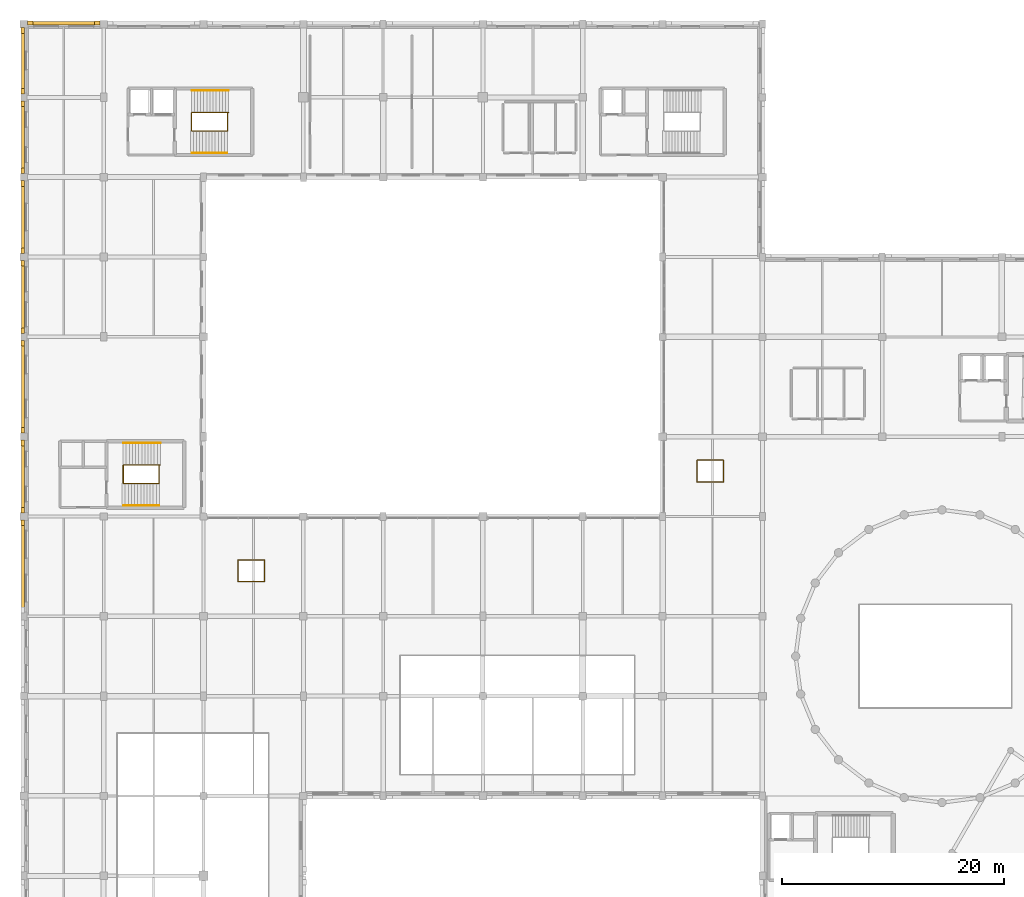
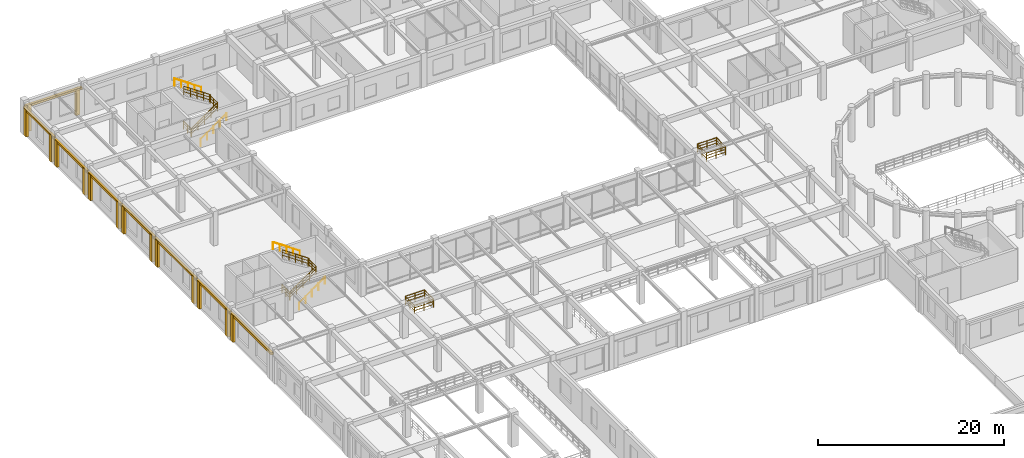
# One storey, part 56 of 62: 23 coverings, 20 railings.
"""IFC4 building model written with IfcOpenShell, lengths in metres."""

from ifc_helpers import new_model, si_unit, direction, frame, frame_2d, origin, origin_2d, place, context, subcontext, project, spatial, rectangle, circle, extrude, material, layer, layer_set, type_object, element, save


model = new_model("IFC4")

# Units and contexts
model_context = context("Model", 3, precision=1e-05, world=origin(), true_north=direction((0.0, 1.0)))
body_context = subcontext(model_context, "Body", "Model", "MODEL_VIEW")
ifc_project = project(units=[si_unit("LENGTHUNIT", "METRE"), si_unit("AREAUNIT", "SQUARE_METRE"), si_unit("VOLUMEUNIT", "CUBIC_METRE"), si_unit("PLANEANGLEUNIT", "RADIAN"), si_unit("MASSUNIT", "GRAM", prefix="KILO")], contexts=[model_context])

# Site, building, storey
site_placement = place(None, origin())
site = spatial("IfcSite", under=ifc_project, at=site_placement, CompositionType="ELEMENT")
building_placement = place(site_placement, origin())
building = spatial("IfcBuilding", under=site, at=building_placement, Name="Clarverna Civic Hall", CompositionType="ELEMENT")
storey_placement = place(building_placement, frame((0.0, 0.0, 5.10009765625)))
storey = spatial("IfcBuildingStorey", under=building, at=storey_placement, Name="L01", CompositionType="ELEMENT", Elevation=5.10009765625)

# Coverings
ifc_material_1 = material(Name="Montjuic Buff Limestone Ashlar Cladding", Category="masonry")
ifc_layer = layer(ifc_material_1, 0.070068359375)
ifc_layer_set = layer_set([ifc_layer], Name="Montjuic Buff Limestone Ashlar Cladding")
covering_type = type_object("IfcCoveringType", Name="CV-CL2", PredefinedType="CLADDING", material=ifc_layer_set)
covering_1_placement = place(storey_placement, frame((-0.080078125, 62.659912109375, 3.260009765625), z_axis=(0.0, 0.0, 1.0), x_axis=(0.0, 1.0, 0.0)))
element("IfcCovering", 1, at=covering_1_placement, inside=storey, type_object=covering_type, Name="CV-CL2-180", PredefinedType="CLADDING", context=body_context, shape_type="SweptSolid", body=[
    extrude(rectangle(XDim=8.880126953125, YDim=0.280029296875, at=frame_2d((4.43994140625, 0.0))), origin(), (0.0, 0.0, 1.0), 0.2998046875),
])
covering_2_placement = place(storey_placement, frame((-0.110107421875, 70.780029296875, 0.0), z_axis=(0.0, 0.0, 1.0), x_axis=(0.0, 1.0, 0.0)))
element("IfcCovering", 2, at=covering_2_placement, inside=storey, type_object=covering_type, Name="CV-CL2-182", PredefinedType="CLADDING", context=body_context, shape_type="SweptSolid", body=[
    extrude(rectangle(XDim=0.5, YDim=0.340087890625, at=frame_2d((0.25, 0.0))), origin(), (0.0, 0.0, 1.0), 3.539794921875),
])
covering_3_placement = place(storey_placement, frame((-0.080078125, 71.659912109375, 3.219970703125), z_axis=(0.0, 0.0, 1.0), x_axis=(0.0, 1.0, 0.0)))
element("IfcCovering", 3, at=covering_3_placement, inside=storey, type_object=covering_type, Name="CV-CL2-183", PredefinedType="CLADDING", context=body_context, shape_type="SweptSolid", body=[
    extrude(rectangle(XDim=7.080078125, YDim=0.280029296875, at=frame_2d((3.5400390625, 0.0))), origin(), (0.0, 0.0, 1.0), 0.300048828125),
])
for number, where, z_axis, x_axis, name in (
    (4, (-0.110107421875, 71.919921875, 0.0), (0.0, 0.0, 1.0), (0.0, 1.0, 0.0), "CV-CL2-184"),
    (5, (-0.110107421875, 77.97998046875, 0.0), (0.0, 0.0, 1.0), (0.0, 1.0, 0.0), "CV-CL2-185"),
):
    element("IfcCovering", number, at=place(storey_placement, frame(where, z_axis=z_axis, x_axis=x_axis)), inside=storey, type_object=covering_type, Name=name, PredefinedType="CLADDING", context=body_context, shape_type="SweptSolid", body=[
        extrude(rectangle(XDim=0.5, YDim=0.340087890625, at=frame_2d((0.25, 0.0))), origin(), (0.0, 0.0, 1.0), 3.5),
    ])
covering_4_placement = place(storey_placement, frame((-0.080078125, 78.860107421875, 3.219970703125), z_axis=(0.0, 0.0, 1.0), x_axis=(0.0, 1.0, 0.0)))
element("IfcCovering", 6, at=covering_4_placement, inside=storey, type_object=covering_type, Name="CV-CL2-186", PredefinedType="CLADDING", context=body_context, shape_type="SweptSolid", body=[
    extrude(rectangle(XDim=8.8798828125, YDim=0.280029296875, at=frame_2d((4.43994140625, 0.0))), origin(), (0.0, 0.0, 1.0), 0.300048828125),
])
for number, where, z_axis, x_axis, name in (
    (7, (-0.110107421875, 79.1201171875, 0.0), (0.0, 0.0, 1.0), (0.0, 1.0, 0.0), "CV-CL2-187"),
    (8, (-0.110107421875, 86.97998046875, 0.0), (0.0, 0.0, 1.0), (0.0, 1.0, 0.0), "CV-CL2-188"),
):
    element("IfcCovering", number, at=place(storey_placement, frame(where, z_axis=z_axis, x_axis=x_axis)), inside=storey, type_object=covering_type, Name=name, PredefinedType="CLADDING", context=body_context, shape_type="SweptSolid", body=[
        extrude(rectangle(XDim=0.5, YDim=0.340087890625, at=frame_2d((0.25, 0.0))), origin(), (0.0, 0.0, 1.0), 3.5),
    ])
covering_5_placement = place(storey_placement, frame((-0.080078125, 87.860107421875, 3.219970703125), z_axis=(0.0, 0.0, 1.0), x_axis=(0.0, 1.0, 0.0)))
element("IfcCovering", 9, at=covering_5_placement, inside=storey, type_object=covering_type, Name="CV-CL2-189", PredefinedType="CLADDING", context=body_context, shape_type="SweptSolid", body=[
    extrude(rectangle(XDim=7.079833984375, YDim=0.280029296875, at=frame_2d((3.5400390625, 0.0))), origin(), (0.0, 0.0, 1.0), 0.300048828125),
])
for number, where, z_axis, x_axis, name in (
    (10, (-0.110107421875, 88.1201171875, 0.0), (0.0, 0.0, 1.0), (0.0, 1.0, 0.0), "CV-CL2-190"),
    (11, (-0.110107421875, 94.179931640625, 0.0), (0.0, 0.0, 1.0), (0.0, 1.0, 0.0), "CV-CL2-191"),
):
    element("IfcCovering", number, at=place(storey_placement, frame(where, z_axis=z_axis, x_axis=x_axis)), inside=storey, type_object=covering_type, Name=name, PredefinedType="CLADDING", context=body_context, shape_type="SweptSolid", body=[
        extrude(rectangle(XDim=0.5, YDim=0.340087890625, at=frame_2d((0.25, 0.0))), origin(), (0.0, 0.0, 1.0), 3.5),
    ])
covering_6_placement = place(storey_placement, frame((-0.080078125, 95.06005859375, 3.139892578125), z_axis=(0.0, 0.0, 1.0), x_axis=(0.0, 1.0, 0.0)))
element("IfcCovering", 12, at=covering_6_placement, inside=storey, type_object=covering_type, Name="CV-CL2-192", PredefinedType="CLADDING", context=body_context, shape_type="SweptSolid", body=[
    extrude(rectangle(XDim=7.079833984375, YDim=0.280029296875, at=frame_2d((3.5400390625, 0.0))), origin(), (0.0, 0.0, 1.0), 0.300048828125),
])
for number, where, z_axis, x_axis, name in (
    (13, (-0.110107421875, 95.320068359375, 0.0), (0.0, 0.0, 1.0), (0.0, 1.0, 0.0), "CV-CL2-193"),
    (14, (-0.110107421875, 101.3798828125, 0.0), (0.0, 0.0, 1.0), (0.0, 1.0, 0.0), "CV-CL2-194"),
):
    element("IfcCovering", number, at=place(storey_placement, frame(where, z_axis=z_axis, x_axis=x_axis)), inside=storey, type_object=covering_type, Name=name, PredefinedType="CLADDING", context=body_context, shape_type="SweptSolid", body=[
        extrude(rectangle(XDim=0.5, YDim=0.340087890625, at=frame_2d((0.25, 0.0))), origin(), (0.0, 0.0, 1.0), 3.419921875),
    ])
covering_7_placement = place(storey_placement, frame((-0.080078125, 102.260009765625, 3.139892578125), z_axis=(0.0, 0.0, 1.0), x_axis=(0.0, 1.0, 0.0)))
element("IfcCovering", 15, at=covering_7_placement, inside=storey, type_object=covering_type, Name="CV-CL2-195", PredefinedType="CLADDING", context=body_context, shape_type="SweptSolid", body=[
    extrude(rectangle(XDim=7.080078125, YDim=0.280029296875, at=frame_2d((3.5400390625, 0.0))), origin(), (0.0, 0.0, 1.0), 0.300048828125),
])
for number, where, z_axis, x_axis, name in (
    (16, (-0.110107421875, 102.52001953125, 0.0), (0.0, 0.0, 1.0), (0.0, 1.0, 0.0), "CV-CL2-196"),
    (17, (-0.110107421875, 108.580078125, 0.0), (0.0, 0.0, 1.0), (0.0, 1.0, 0.0), "CV-CL2-197"),
):
    element("IfcCovering", number, at=place(storey_placement, frame(where, z_axis=z_axis, x_axis=x_axis)), inside=storey, type_object=covering_type, Name=name, PredefinedType="CLADDING", context=body_context, shape_type="SweptSolid", body=[
        extrude(rectangle(XDim=0.5, YDim=0.340087890625, at=frame_2d((0.25, 0.0))), origin(), (0.0, 0.0, 1.0), 3.419921875),
    ])
covering_8_placement = place(storey_placement, frame((-0.080078125, 109.4599609375, 3.219970703125), z_axis=(0.0, 0.0, 1.0), x_axis=(0.0, 1.0, 0.0)))
element("IfcCovering", 18, at=covering_8_placement, inside=storey, type_object=covering_type, Name="CV-CL2-198", PredefinedType="CLADDING", context=body_context, shape_type="SweptSolid", body=[
    extrude(rectangle(XDim=6.47998046875, YDim=0.280029296875, at=frame_2d((3.239990234375, 0.0))), origin(), (0.0, 0.0, 1.0), 0.300048828125),
])
for number, where, z_axis, x_axis, name in (
    (19, (-0.110107421875, 109.719970703125, 0.0), (0.0, 0.0, 1.0), (0.0, 1.0, 0.0), "CV-CL2-199"),
    (20, (-0.110107421875, 115.179931640625, 0.0), (0.0, 0.0, 1.0), (0.0, 1.0, 0.0), "CV-CL2-200"),
):
    element("IfcCovering", number, at=place(storey_placement, frame(where, z_axis=z_axis, x_axis=x_axis)), inside=storey, type_object=covering_type, Name=name, PredefinedType="CLADDING", context=body_context, shape_type="SweptSolid", body=[
        extrude(rectangle(XDim=0.5, YDim=0.340087890625, at=frame_2d((0.25, 0.0))), origin(), (0.0, 0.0, 1.0), 3.5),
    ])
covering_9_placement = place(storey_placement, frame((0.06005859375, 116.080078125, 3.219970703125), z_axis=(0.0, 0.0, 1.0), x_axis=(1.0, 0.0, 0.0)))
element("IfcCovering", 21, at=covering_9_placement, inside=storey, type_object=covering_type, Name="CV-CL2-201", PredefinedType="CLADDING", context=body_context, shape_type="SweptSolid", body=[
    extrude(rectangle(XDim=7.079833984375, YDim=0.280029296875, at=frame_2d((3.5400390625, 0.0))), origin(), (0.0, 0.0, 1.0), 0.300048828125),
])
for number, where, z_axis, x_axis, name in (
    (22, (0.320068359375, 116.110107421875, 0.0), (0.0, 0.0, 1.0), (1.0, 0.0, 0.0), "CV-CL2-202"),
    (23, (6.3798828125, 116.110107421875, 0.0), (0.0, 0.0, 1.0), (1.0, 0.0, 0.0), "CV-CL2-203"),
):
    element("IfcCovering", number, at=place(storey_placement, frame(where, z_axis=z_axis, x_axis=x_axis)), inside=storey, type_object=covering_type, Name=name, PredefinedType="CLADDING", context=body_context, shape_type="SweptSolid", body=[
        extrude(rectangle(XDim=0.5, YDim=0.340087890625, at=frame_2d((0.25, 0.0))), origin(), (0.0, 0.0, 1.0), 3.5),
    ])

# Railings
ifc_material_2 = material(Name="Anodised Bronze Architectural Balustrade")
railing_type_1 = type_object("IfcRailingType", Name="GR-02", PredefinedType="BALUSTRADE", material=ifc_material_2)
railing_1_placement = place(storey_placement, frame((15.14990234375, 106.360107421875, 0.0)))
element("IfcRailing", 24, at=railing_1_placement, inside=storey, type_object=railing_type_1, Name="GR-02-107", PredefinedType="BALUSTRADE", context=body_context, shape_type="SweptSolid", body=[
    extrude(circle(Radius=0.02392578125, at=origin_2d()), frame((0.0, 0.0, 1.09619140625), z_axis=(0.818457937252, 0.0, 0.574566449551), x_axis=(0.0, 1.0, 0.0)), (0.0, 0.0, 1.0), 3.916015625),
    extrude(circle(Radius=0.011962890625, at=origin_2d()), frame((0.0, 0.0, 0.39208984375), z_axis=(0.818457937252, 0.0, 0.574566449551), x_axis=(0.0, 1.0, 0.0)), (0.0, 0.0, 1.0), 3.916015625),
    extrude(circle(Radius=0.011962890625, at=origin_2d()), frame((0.0, 0.0, 0.76171875), z_axis=(0.818457937252, 0.0, 0.574566449551), x_axis=(0.0, 1.0, 0.0)), (0.0, 0.0, 1.0), 3.916015625),
    extrude(circle(Radius=0.02099609375, at=origin_2d()), origin(), (0.0, 0.0, 1.0), 1.072021484375),
    extrude(circle(Radius=0.02099609375, at=origin_2d()), frame((0.80126953125, 0.0, 0.5625)), (0.0, 0.0, 1.0), 1.072021484375),
    extrude(circle(Radius=0.02099609375, at=origin_2d()), frame((1.6025390625, 0.0, 1.125)), (0.0, 0.0, 1.0), 1.072021484375),
    extrude(circle(Radius=0.02099609375, at=origin_2d()), frame((2.40380859375, 0.0, 1.6875)), (0.0, 0.0, 1.0), 1.072021484375),
    extrude(circle(Radius=0.02099609375, at=origin_2d()), frame((3.205078125, 0.0, 2.25)), (0.0, 0.0, 1.0), 1.072021484375),
])
railing_2_placement = place(storey_placement, frame((18.35498046875, 106.360107421875, 2.25)))
element("IfcRailing", 25, at=railing_2_placement, inside=storey, type_object=railing_type_1, Name="GR-02-108", PredefinedType="BALUSTRADE", context=body_context, shape_type="SweptSolid", body=[
    extrude(circle(Radius=0.02392578125, at=origin_2d()), frame((0.0, 0.0, 1.09619140625), z_axis=(0.0, 1.0, 0.0), x_axis=(-1.0, 0.0, 0.0)), (0.0, 0.0, 1.0), 1.679931640625),
    extrude(circle(Radius=0.011962890625, at=origin_2d()), frame((0.0, 0.0, 0.39208984375), z_axis=(0.0, 1.0, 0.0), x_axis=(-1.0, 0.0, 0.0)), (0.0, 0.0, 1.0), 1.679931640625),
    extrude(circle(Radius=0.011962890625, at=origin_2d()), frame((0.0, 0.0, 0.76171875), z_axis=(0.0, 1.0, 0.0), x_axis=(-1.0, 0.0, 0.0)), (0.0, 0.0, 1.0), 1.679931640625),
    extrude(circle(Radius=0.02099609375, at=origin_2d()), origin(), (0.0, 0.0, 1.0), 1.072021484375),
    extrude(circle(Radius=0.02099609375, at=origin_2d()), frame((0.0, 0.83984375, 0.0)), (0.0, 0.0, 1.0), 1.072021484375),
    extrude(circle(Radius=0.02099609375, at=origin_2d()), frame((0.0, 1.679931640625, 0.0)), (0.0, 0.0, 1.0), 1.072021484375),
])
railing_3_placement = place(storey_placement, frame((18.445068359375, 108.0400390625, 2.25)))
element("IfcRailing", 26, at=railing_3_placement, inside=storey, type_object=railing_type_1, Name="GR-02-109", PredefinedType="BALUSTRADE", context=body_context, shape_type="SweptSolid", body=[
    extrude(circle(Radius=0.02392578125, at=origin_2d()), frame((0.0, 0.0, 1.09619140625), z_axis=(-0.825842681189, 0.0, 0.563900581598), x_axis=(0.0, -1.0, 0.0)), (0.0, 0.0, 1.0), 3.989990234375),
    extrude(circle(Radius=0.011962890625, at=origin_2d()), frame((0.0, 0.0, 0.39208984375), z_axis=(-0.825842681189, 0.0, 0.563900581598), x_axis=(0.0, -1.0, 0.0)), (0.0, 0.0, 1.0), 3.989990234375),
    extrude(circle(Radius=0.011962890625, at=origin_2d()), frame((0.0, 0.0, 0.76171875), z_axis=(-0.825842681189, 0.0, 0.563900581598), x_axis=(0.0, -1.0, 0.0)), (0.0, 0.0, 1.0), 3.989990234375),
    extrude(circle(Radius=0.02099609375, at=origin_2d()), origin(), (0.0, 0.0, 1.0), 1.072021484375),
    extrude(circle(Radius=0.02099609375, at=origin_2d()), frame((-0.82373046875, 0.0, 0.5625)), (0.0, 0.0, 1.0), 1.072021484375),
    extrude(circle(Radius=0.02099609375, at=origin_2d()), frame((-1.6474609375, 0.0, 1.125)), (0.0, 0.0, 1.0), 1.072021484375),
    extrude(circle(Radius=0.02099609375, at=origin_2d()), frame((-2.471435546875, 0.0, 1.6875)), (0.0, 0.0, 1.0), 1.072021484375),
    extrude(circle(Radius=0.02099609375, at=origin_2d()), frame((-3.295166015625, 0.0, 2.25)), (0.0, 0.0, 1.0), 1.072021484375),
])
railing_4_placement = place(storey_placement, frame((15.110107421875, 106.39990234375, 0.0)))
element("IfcRailing", 27, at=railing_4_placement, inside=storey, type_object=railing_type_1, Name="GR-02-110", PredefinedType="BALUSTRADE", context=body_context, shape_type="SweptSolid", body=[
    extrude(circle(Radius=0.02392578125, at=origin_2d()), frame((0.0, 0.0, 1.09619140625), z_axis=(0.0, 1.0, 0.0), x_axis=(-1.0, 0.0, 0.0)), (0.0, 0.0, 1.0), 1.60009765625),
    extrude(circle(Radius=0.011962890625, at=origin_2d()), frame((0.0, 0.0, 0.39208984375), z_axis=(0.0, 1.0, 0.0), x_axis=(-1.0, 0.0, 0.0)), (0.0, 0.0, 1.0), 1.60009765625),
    extrude(circle(Radius=0.011962890625, at=origin_2d()), frame((0.0, 0.0, 0.76171875), z_axis=(0.0, 1.0, 0.0), x_axis=(-1.0, 0.0, 0.0)), (0.0, 0.0, 1.0), 1.60009765625),
    extrude(circle(Radius=0.02099609375, at=origin_2d()), origin(), (0.0, 0.0, 1.0), 1.072021484375),
    extrude(circle(Radius=0.02099609375, at=origin_2d()), frame((0.0, 0.800048828125, 0.0)), (0.0, 0.0, 1.0), 1.072021484375),
    extrude(circle(Radius=0.02099609375, at=origin_2d()), frame((0.0, 1.60009765625, 0.0)), (0.0, 0.0, 1.0), 1.072021484375),
])
railing_5_placement = place(storey_placement, frame((9.0, 74.56005859375, 0.0)))
element("IfcRailing", 28, at=railing_5_placement, inside=storey, type_object=railing_type_1, Name="GR-02-203", PredefinedType="BALUSTRADE", context=body_context, shape_type="SweptSolid", body=[
    extrude(circle(Radius=0.02392578125, at=origin_2d()), frame((0.0, 0.0, 1.09619140625), z_axis=(0.818457937252, 0.0, 0.574566449551), x_axis=(0.0, 1.0, 0.0)), (0.0, 0.0, 1.0), 3.916015625),
    extrude(circle(Radius=0.011962890625, at=origin_2d()), frame((0.0, 0.0, 0.39208984375), z_axis=(0.818457937252, 0.0, 0.574566449551), x_axis=(0.0, 1.0, 0.0)), (0.0, 0.0, 1.0), 3.916015625),
    extrude(circle(Radius=0.011962890625, at=origin_2d()), frame((0.0, 0.0, 0.76171875), z_axis=(0.818457937252, 0.0, 0.574566449551), x_axis=(0.0, 1.0, 0.0)), (0.0, 0.0, 1.0), 3.916015625),
    extrude(circle(Radius=0.02099609375, at=origin_2d()), origin(), (0.0, 0.0, 1.0), 1.072021484375),
    extrude(circle(Radius=0.02099609375, at=origin_2d()), frame((0.80126953125, 0.0, 0.5625)), (0.0, 0.0, 1.0), 1.072021484375),
    extrude(circle(Radius=0.02099609375, at=origin_2d()), frame((1.6025390625, 0.0, 1.125)), (0.0, 0.0, 1.0), 1.072021484375),
    extrude(circle(Radius=0.02099609375, at=origin_2d()), frame((2.40380859375, 0.0, 1.6875)), (0.0, 0.0, 1.0), 1.072021484375),
    extrude(circle(Radius=0.02099609375, at=origin_2d()), frame((3.205078125, 0.0, 2.25)), (0.0, 0.0, 1.0), 1.072021484375),
])
railing_6_placement = place(storey_placement, frame((12.205078125, 74.56005859375, 2.25)))
element("IfcRailing", 29, at=railing_6_placement, inside=storey, type_object=railing_type_1, Name="GR-02-204", PredefinedType="BALUSTRADE", context=body_context, shape_type="SweptSolid", body=[
    extrude(circle(Radius=0.02392578125, at=origin_2d()), frame((0.0, 0.0, 1.09619140625), z_axis=(0.0, 1.0, 0.0), x_axis=(-1.0, 0.0, 0.0)), (0.0, 0.0, 1.0), 1.679931640625),
    extrude(circle(Radius=0.011962890625, at=origin_2d()), frame((0.0, 0.0, 0.39208984375), z_axis=(0.0, 1.0, 0.0), x_axis=(-1.0, 0.0, 0.0)), (0.0, 0.0, 1.0), 1.679931640625),
    extrude(circle(Radius=0.011962890625, at=origin_2d()), frame((0.0, 0.0, 0.76171875), z_axis=(0.0, 1.0, 0.0), x_axis=(-1.0, 0.0, 0.0)), (0.0, 0.0, 1.0), 1.679931640625),
    extrude(circle(Radius=0.02099609375, at=origin_2d()), origin(), (0.0, 0.0, 1.0), 1.072021484375),
    extrude(circle(Radius=0.02099609375, at=origin_2d()), frame((0.0, 0.83984375, 0.0)), (0.0, 0.0, 1.0), 1.072021484375),
    extrude(circle(Radius=0.02099609375, at=origin_2d()), frame((0.0, 1.679931640625, 0.0)), (0.0, 0.0, 1.0), 1.072021484375),
])
railing_7_placement = place(storey_placement, frame((12.294921875, 76.239990234375, 2.25)))
element("IfcRailing", 30, at=railing_7_placement, inside=storey, type_object=railing_type_1, Name="GR-02-205", PredefinedType="BALUSTRADE", context=body_context, shape_type="SweptSolid", body=[
    extrude(circle(Radius=0.02392578125, at=origin_2d()), frame((0.0, 0.0, 1.09619140625), z_axis=(-0.825823223194, 0.0, 0.563929077131), x_axis=(0.0, -1.0, 0.0)), (0.0, 0.0, 1.0), 3.98974609375),
    extrude(circle(Radius=0.011962890625, at=origin_2d()), frame((0.0, 0.0, 0.39208984375), z_axis=(-0.825823223194, 0.0, 0.563929077131), x_axis=(0.0, -1.0, 0.0)), (0.0, 0.0, 1.0), 3.98974609375),
    extrude(circle(Radius=0.011962890625, at=origin_2d()), frame((0.0, 0.0, 0.76171875), z_axis=(-0.825823223194, 0.0, 0.563929077131), x_axis=(0.0, -1.0, 0.0)), (0.0, 0.0, 1.0), 3.98974609375),
    extrude(circle(Radius=0.02099609375, at=origin_2d()), origin(), (0.0, 0.0, 1.0), 1.072021484375),
    extrude(circle(Radius=0.02099609375, at=origin_2d()), frame((-0.82373046875, 0.0, 0.5625)), (0.0, 0.0, 1.0), 1.072021484375),
    extrude(circle(Radius=0.02099609375, at=origin_2d()), frame((-1.6474609375, 0.0, 1.125)), (0.0, 0.0, 1.0), 1.072021484375),
    extrude(circle(Radius=0.02099609375, at=origin_2d()), frame((-2.47119140625, 0.0, 1.6875)), (0.0, 0.0, 1.0), 1.072021484375),
    extrude(circle(Radius=0.02099609375, at=origin_2d()), frame((-3.294921875, 0.0, 2.25)), (0.0, 0.0, 1.0), 1.072021484375),
])
railing_8_placement = place(storey_placement, frame((8.9599609375, 74.60009765625, 0.0)))
element("IfcRailing", 31, at=railing_8_placement, inside=storey, type_object=railing_type_1, Name="GR-02-206", PredefinedType="BALUSTRADE", context=body_context, shape_type="SweptSolid", body=[
    extrude(circle(Radius=0.02392578125, at=origin_2d()), frame((0.0, 0.0, 1.09619140625), z_axis=(0.0, 1.0, 0.0), x_axis=(-1.0, 0.0, 0.0)), (0.0, 0.0, 1.0), 1.599853515625),
    extrude(circle(Radius=0.011962890625, at=origin_2d()), frame((0.0, 0.0, 0.39208984375), z_axis=(0.0, 1.0, 0.0), x_axis=(-1.0, 0.0, 0.0)), (0.0, 0.0, 1.0), 1.599853515625),
    extrude(circle(Radius=0.011962890625, at=origin_2d()), frame((0.0, 0.0, 0.76171875), z_axis=(0.0, 1.0, 0.0), x_axis=(-1.0, 0.0, 0.0)), (0.0, 0.0, 1.0), 1.599853515625),
    extrude(circle(Radius=0.02099609375, at=origin_2d()), origin(), (0.0, 0.0, 1.0), 1.072021484375),
    extrude(circle(Radius=0.02099609375, at=origin_2d()), frame((0.0, 0.7998046875, 0.0)), (0.0, 0.0, 1.0), 1.072021484375),
    extrude(circle(Radius=0.02099609375, at=origin_2d()), frame((0.0, 1.599853515625, 0.0)), (0.0, 0.0, 1.0), 1.072021484375),
])
railing_9_placement = place(storey_placement, frame((19.320068359375, 65.719970703125, 0.0)))
element("IfcRailing", 32, at=railing_9_placement, inside=storey, type_object=railing_type_1, Name="GR-02-216", PredefinedType="BALUSTRADE", context=body_context, shape_type="SweptSolid", body=[
    extrude(circle(Radius=0.02392578125, at=origin_2d()), frame((0.0, 0.0, 1.09619140625), z_axis=(0.0, 1.0, 0.0), x_axis=(-1.0, 0.0, 0.0)), (0.0, 0.0, 1.0), 1.9599609375),
    extrude(circle(Radius=0.011962890625, at=origin_2d()), frame((0.0, 0.0, 0.39208984375), z_axis=(0.0, 1.0, 0.0), x_axis=(-1.0, 0.0, 0.0)), (0.0, 0.0, 1.0), 1.9599609375),
    extrude(circle(Radius=0.011962890625, at=origin_2d()), frame((0.0, 0.0, 0.76171875), z_axis=(0.0, 1.0, 0.0), x_axis=(-1.0, 0.0, 0.0)), (0.0, 0.0, 1.0), 1.9599609375),
    extrude(circle(Radius=0.02099609375, at=origin_2d()), origin(), (0.0, 0.0, 1.0), 1.072021484375),
    extrude(circle(Radius=0.02099609375, at=origin_2d()), frame((0.0, 0.97998046875, 0.0)), (0.0, 0.0, 1.0), 1.072021484375),
    extrude(circle(Radius=0.02099609375, at=origin_2d()), frame((0.0, 1.9599609375, 0.0)), (0.0, 0.0, 1.0), 1.072021484375),
])
railing_10_placement = place(storey_placement, frame((19.320068359375, 67.679931640625, 0.0)))
element("IfcRailing", 33, at=railing_10_placement, inside=storey, type_object=railing_type_1, Name="GR-02-217", PredefinedType="BALUSTRADE", context=body_context, shape_type="SweptSolid", body=[
    extrude(circle(Radius=0.02392578125, at=origin_2d()), frame((0.0, 0.0, 1.09619140625), z_axis=(1.0, 0.0, 0.0), x_axis=(0.0, 1.0, 0.0)), (0.0, 0.0, 1.0), 2.35986328125),
    extrude(circle(Radius=0.011962890625, at=origin_2d()), frame((0.0, 0.0, 0.39208984375), z_axis=(1.0, 0.0, 0.0), x_axis=(0.0, 1.0, 0.0)), (0.0, 0.0, 1.0), 2.35986328125),
    extrude(circle(Radius=0.011962890625, at=origin_2d()), frame((0.0, 0.0, 0.76171875), z_axis=(1.0, 0.0, 0.0), x_axis=(0.0, 1.0, 0.0)), (0.0, 0.0, 1.0), 2.35986328125),
    extrude(circle(Radius=0.02099609375, at=origin_2d()), origin(), (0.0, 0.0, 1.0), 1.072021484375),
    extrude(circle(Radius=0.02099609375, at=origin_2d()), frame((1.179931640625, 0.0, 0.0)), (0.0, 0.0, 1.0), 1.072021484375),
    extrude(circle(Radius=0.02099609375, at=origin_2d()), frame((2.35986328125, 0.0, 0.0)), (0.0, 0.0, 1.0), 1.072021484375),
])
railing_11_placement = place(storey_placement, frame((21.679931640625, 67.679931640625, 0.0)))
element("IfcRailing", 34, at=railing_11_placement, inside=storey, type_object=railing_type_1, Name="GR-02-218", PredefinedType="BALUSTRADE", context=body_context, shape_type="SweptSolid", body=[
    extrude(circle(Radius=0.02392578125, at=origin_2d()), frame((0.0, 0.0, 1.09619140625), z_axis=(0.0, -1.0, 0.0), x_axis=(1.0, 0.0, 0.0)), (0.0, 0.0, 1.0), 1.9599609375),
    extrude(circle(Radius=0.011962890625, at=origin_2d()), frame((0.0, 0.0, 0.39208984375), z_axis=(0.0, -1.0, 0.0), x_axis=(1.0, 0.0, 0.0)), (0.0, 0.0, 1.0), 1.9599609375),
    extrude(circle(Radius=0.011962890625, at=origin_2d()), frame((0.0, 0.0, 0.76171875), z_axis=(0.0, -1.0, 0.0), x_axis=(1.0, 0.0, 0.0)), (0.0, 0.0, 1.0), 1.9599609375),
    extrude(circle(Radius=0.02099609375, at=origin_2d()), origin(), (0.0, 0.0, 1.0), 1.072021484375),
    extrude(circle(Radius=0.02099609375, at=origin_2d()), frame((0.0, -0.97998046875, 0.0)), (0.0, 0.0, 1.0), 1.072021484375),
    extrude(circle(Radius=0.02099609375, at=origin_2d()), frame((0.0, -1.9599609375, 0.0)), (0.0, 0.0, 1.0), 1.072021484375),
])
railing_12_placement = place(storey_placement, frame((21.679931640625, 65.719970703125, 0.0)))
element("IfcRailing", 35, at=railing_12_placement, inside=storey, type_object=railing_type_1, Name="GR-02-219", PredefinedType="BALUSTRADE", context=body_context, shape_type="SweptSolid", body=[
    extrude(circle(Radius=0.02392578125, at=origin_2d()), frame((0.0, 0.0, 1.09619140625), z_axis=(-1.0, 0.0, 0.0), x_axis=(0.0, -1.0, 0.0)), (0.0, 0.0, 1.0), 2.35986328125),
    extrude(circle(Radius=0.011962890625, at=origin_2d()), frame((0.0, 0.0, 0.39208984375), z_axis=(-1.0, 0.0, 0.0), x_axis=(0.0, -1.0, 0.0)), (0.0, 0.0, 1.0), 2.35986328125),
    extrude(circle(Radius=0.011962890625, at=origin_2d()), frame((0.0, 0.0, 0.76171875), z_axis=(-1.0, 0.0, 0.0), x_axis=(0.0, -1.0, 0.0)), (0.0, 0.0, 1.0), 2.35986328125),
    extrude(circle(Radius=0.02099609375, at=origin_2d()), origin(), (0.0, 0.0, 1.0), 1.072021484375),
    extrude(circle(Radius=0.02099609375, at=origin_2d()), frame((-1.179931640625, 0.0, 0.0)), (0.0, 0.0, 1.0), 1.072021484375),
    extrude(circle(Radius=0.02099609375, at=origin_2d()), frame((-2.35986328125, 0.0, 0.0)), (0.0, 0.0, 1.0), 1.072021484375),
])
railing_13_placement = place(storey_placement, frame((60.719970703125, 74.719970703125, 0.0)))
element("IfcRailing", 36, at=railing_13_placement, inside=storey, type_object=railing_type_1, Name="GR-02-220", PredefinedType="BALUSTRADE", context=body_context, shape_type="SweptSolid", body=[
    extrude(circle(Radius=0.02392578125, at=origin_2d()), frame((0.0, 0.0, 1.09619140625), z_axis=(0.0, 1.0, 0.0), x_axis=(-1.0, 0.0, 0.0)), (0.0, 0.0, 1.0), 1.9599609375),
    extrude(circle(Radius=0.011962890625, at=origin_2d()), frame((0.0, 0.0, 0.39208984375), z_axis=(0.0, 1.0, 0.0), x_axis=(-1.0, 0.0, 0.0)), (0.0, 0.0, 1.0), 1.9599609375),
    extrude(circle(Radius=0.011962890625, at=origin_2d()), frame((0.0, 0.0, 0.76171875), z_axis=(0.0, 1.0, 0.0), x_axis=(-1.0, 0.0, 0.0)), (0.0, 0.0, 1.0), 1.9599609375),
    extrude(circle(Radius=0.02099609375, at=origin_2d()), origin(), (0.0, 0.0, 1.0), 1.072021484375),
    extrude(circle(Radius=0.02099609375, at=origin_2d()), frame((0.0, 0.97998046875, 0.0)), (0.0, 0.0, 1.0), 1.072021484375),
    extrude(circle(Radius=0.02099609375, at=origin_2d()), frame((0.0, 1.9599609375, 0.0)), (0.0, 0.0, 1.0), 1.072021484375),
])
railing_14_placement = place(storey_placement, frame((60.719970703125, 76.679931640625, 0.0)))
element("IfcRailing", 37, at=railing_14_placement, inside=storey, type_object=railing_type_1, Name="GR-02-221", PredefinedType="BALUSTRADE", context=body_context, shape_type="SweptSolid", body=[
    extrude(circle(Radius=0.02392578125, at=origin_2d()), frame((0.0, 0.0, 1.09619140625), z_axis=(1.0, 0.0, 0.0), x_axis=(0.0, 1.0, 0.0)), (0.0, 0.0, 1.0), 2.360107421875),
    extrude(circle(Radius=0.011962890625, at=origin_2d()), frame((0.0, 0.0, 0.39208984375), z_axis=(1.0, 0.0, 0.0), x_axis=(0.0, 1.0, 0.0)), (0.0, 0.0, 1.0), 2.360107421875),
    extrude(circle(Radius=0.011962890625, at=origin_2d()), frame((0.0, 0.0, 0.76171875), z_axis=(1.0, 0.0, 0.0), x_axis=(0.0, 1.0, 0.0)), (0.0, 0.0, 1.0), 2.360107421875),
    extrude(circle(Radius=0.02099609375, at=origin_2d()), origin(), (0.0, 0.0, 1.0), 1.072021484375),
    extrude(circle(Radius=0.02099609375, at=origin_2d()), frame((1.18017578125, 0.0, 0.0)), (0.0, 0.0, 1.0), 1.072021484375),
    extrude(circle(Radius=0.02099609375, at=origin_2d()), frame((2.360107421875, 0.0, 0.0)), (0.0, 0.0, 1.0), 1.072021484375),
])
railing_15_placement = place(storey_placement, frame((63.080078125, 76.679931640625, 0.0)))
element("IfcRailing", 38, at=railing_15_placement, inside=storey, type_object=railing_type_1, Name="GR-02-222", PredefinedType="BALUSTRADE", context=body_context, shape_type="SweptSolid", body=[
    extrude(circle(Radius=0.02392578125, at=origin_2d()), frame((0.0, 0.0, 1.09619140625), z_axis=(0.0, -1.0, 0.0), x_axis=(1.0, 0.0, 0.0)), (0.0, 0.0, 1.0), 1.9599609375),
    extrude(circle(Radius=0.011962890625, at=origin_2d()), frame((0.0, 0.0, 0.39208984375), z_axis=(0.0, -1.0, 0.0), x_axis=(1.0, 0.0, 0.0)), (0.0, 0.0, 1.0), 1.9599609375),
    extrude(circle(Radius=0.011962890625, at=origin_2d()), frame((0.0, 0.0, 0.76171875), z_axis=(0.0, -1.0, 0.0), x_axis=(1.0, 0.0, 0.0)), (0.0, 0.0, 1.0), 1.9599609375),
    extrude(circle(Radius=0.02099609375, at=origin_2d()), origin(), (0.0, 0.0, 1.0), 1.072021484375),
    extrude(circle(Radius=0.02099609375, at=origin_2d()), frame((0.0, -0.97998046875, 0.0)), (0.0, 0.0, 1.0), 1.072021484375),
    extrude(circle(Radius=0.02099609375, at=origin_2d()), frame((0.0, -1.9599609375, 0.0)), (0.0, 0.0, 1.0), 1.072021484375),
])
railing_16_placement = place(storey_placement, frame((63.080078125, 74.719970703125, 0.0)))
element("IfcRailing", 39, at=railing_16_placement, inside=storey, type_object=railing_type_1, Name="GR-02-223", PredefinedType="BALUSTRADE", context=body_context, shape_type="SweptSolid", body=[
    extrude(circle(Radius=0.02392578125, at=origin_2d()), frame((0.0, 0.0, 1.09619140625), z_axis=(-1.0, 0.0, 0.0), x_axis=(0.0, -1.0, 0.0)), (0.0, 0.0, 1.0), 2.360107421875),
    extrude(circle(Radius=0.011962890625, at=origin_2d()), frame((0.0, 0.0, 0.39208984375), z_axis=(-1.0, 0.0, 0.0), x_axis=(0.0, -1.0, 0.0)), (0.0, 0.0, 1.0), 2.360107421875),
    extrude(circle(Radius=0.011962890625, at=origin_2d()), frame((0.0, 0.0, 0.76171875), z_axis=(-1.0, 0.0, 0.0), x_axis=(0.0, -1.0, 0.0)), (0.0, 0.0, 1.0), 2.360107421875),
    extrude(circle(Radius=0.02099609375, at=origin_2d()), origin(), (0.0, 0.0, 1.0), 1.072021484375),
    extrude(circle(Radius=0.02099609375, at=origin_2d()), frame((-1.18017578125, 0.0, 0.0)), (0.0, 0.0, 1.0), 1.072021484375),
    extrude(circle(Radius=0.02099609375, at=origin_2d()), frame((-2.360107421875, 0.0, 0.0)), (0.0, 0.0, 1.0), 1.072021484375),
])
ifc_material_3 = material(Name="Anodised Bronze Continuous Handrail")
railing_type_2 = type_object("IfcRailingType", Name="HR-01", PredefinedType="HANDRAIL", material=ifc_material_3)
railing_17_placement = place(storey_placement, frame((15.14990234375, 104.3798828125, 0.0)))
element("IfcRailing", 40, at=railing_17_placement, inside=storey, type_object=railing_type_2, Name="HR-01-053", PredefinedType="HANDRAIL", context=body_context, shape_type="SweptSolid", body=[
    extrude(circle(Radius=0.02392578125, at=origin_2d()), frame((0.0, 0.0, 0.89599609375), z_axis=(0.817196578909, 0.0, 0.576359047312), x_axis=(0.0, 1.0, 0.0)), (0.0, 0.0, 1.0), 3.90380859375),
    extrude(circle(Radius=0.02099609375, at=origin_2d()), origin(), (0.0, 0.0, 1.0), 0.871826171875),
    extrude(circle(Radius=0.02099609375, at=origin_2d()), frame((0.797607421875, 0.0, 0.5625)), (0.0, 0.0, 1.0), 0.871826171875),
    extrude(circle(Radius=0.02099609375, at=origin_2d()), frame((1.59521484375, 0.0, 1.125)), (0.0, 0.0, 1.0), 0.871826171875),
    extrude(circle(Radius=0.02099609375, at=origin_2d()), frame((2.392578125, 0.0, 1.6875)), (0.0, 0.0, 1.0), 0.871826171875),
    extrude(circle(Radius=0.02099609375, at=origin_2d()), frame((3.190185546875, 0.0, 2.25)), (0.0, 0.0, 1.0), 0.871826171875),
])
railing_18_placement = place(storey_placement, frame((18.4599609375, 110.02001953125, 2.25)))
element("IfcRailing", 41, at=railing_18_placement, inside=storey, type_object=railing_type_2, Name="HR-01-054", PredefinedType="HANDRAIL", context=body_context, shape_type="SweptSolid", body=[
    extrude(circle(Radius=0.02392578125, at=origin_2d()), frame((0.0, 0.0, 0.89599609375), z_axis=(-0.82702406128, 0.0, 0.562166525207), x_axis=(0.0, -1.0, 0.0)), (0.0, 0.0, 1.0), 4.00244140625),
    extrude(circle(Radius=0.02099609375, at=origin_2d()), origin(), (0.0, 0.0, 1.0), 0.871826171875),
    extrude(circle(Radius=0.02099609375, at=origin_2d()), frame((-0.82763671875, 0.0, 0.5625)), (0.0, 0.0, 1.0), 0.871826171875),
    extrude(circle(Radius=0.02099609375, at=origin_2d()), frame((-1.655029296875, 0.0, 1.125)), (0.0, 0.0, 1.0), 0.871826171875),
    extrude(circle(Radius=0.02099609375, at=origin_2d()), frame((-2.482421875, 0.0, 1.6875)), (0.0, 0.0, 1.0), 0.871826171875),
    extrude(circle(Radius=0.02099609375, at=origin_2d()), frame((-3.31005859375, 0.0, 2.25)), (0.0, 0.0, 1.0), 0.871826171875),
])
railing_19_placement = place(storey_placement, frame((9.0, 72.580078125, 0.0)))
element("IfcRailing", 42, at=railing_19_placement, inside=storey, type_object=railing_type_2, Name="HR-01-101", PredefinedType="HANDRAIL", context=body_context, shape_type="SweptSolid", body=[
    extrude(circle(Radius=0.02392578125, at=origin_2d()), frame((0.0, 0.0, 0.89599609375), z_axis=(0.817175802515, 0.0, 0.576388504208), x_axis=(0.0, 1.0, 0.0)), (0.0, 0.0, 1.0), 3.903564453125),
    extrude(circle(Radius=0.02099609375, at=origin_2d()), origin(), (0.0, 0.0, 1.0), 0.871826171875),
    extrude(circle(Radius=0.02099609375, at=origin_2d()), frame((0.79736328125, 0.0, 0.5625)), (0.0, 0.0, 1.0), 0.871826171875),
    extrude(circle(Radius=0.02099609375, at=origin_2d()), frame((1.594970703125, 0.0, 1.125)), (0.0, 0.0, 1.0), 0.871826171875),
    extrude(circle(Radius=0.02099609375, at=origin_2d()), frame((2.392578125, 0.0, 1.6875)), (0.0, 0.0, 1.0), 0.871826171875),
    extrude(circle(Radius=0.02099609375, at=origin_2d()), frame((3.18994140625, 0.0, 2.25)), (0.0, 0.0, 1.0), 0.871826171875),
])
railing_20_placement = place(storey_placement, frame((12.31005859375, 78.219970703125, 2.25)))
element("IfcRailing", 43, at=railing_20_placement, inside=storey, type_object=railing_type_2, Name="HR-01-102", PredefinedType="HANDRAIL", context=body_context, shape_type="SweptSolid", body=[
    extrude(circle(Radius=0.02392578125, at=origin_2d()), frame((0.0, 0.0, 0.89599609375), z_axis=(-0.82702406128, 0.0, 0.562166525207), x_axis=(0.0, -1.0, 0.0)), (0.0, 0.0, 1.0), 4.00244140625),
    extrude(circle(Radius=0.02099609375, at=origin_2d()), origin(), (0.0, 0.0, 1.0), 0.871826171875),
    extrude(circle(Radius=0.02099609375, at=origin_2d()), frame((-0.82763671875, 0.0, 0.5625)), (0.0, 0.0, 1.0), 0.871826171875),
    extrude(circle(Radius=0.02099609375, at=origin_2d()), frame((-1.655029296875, 0.0, 1.125)), (0.0, 0.0, 1.0), 0.871826171875),
    extrude(circle(Radius=0.02099609375, at=origin_2d()), frame((-2.482421875, 0.0, 1.6875)), (0.0, 0.0, 1.0), 0.871826171875),
    extrude(circle(Radius=0.02099609375, at=origin_2d()), frame((-3.31005859375, 0.0, 2.25)), (0.0, 0.0, 1.0), 0.871826171875),
])

save(model, "model.ifc")
